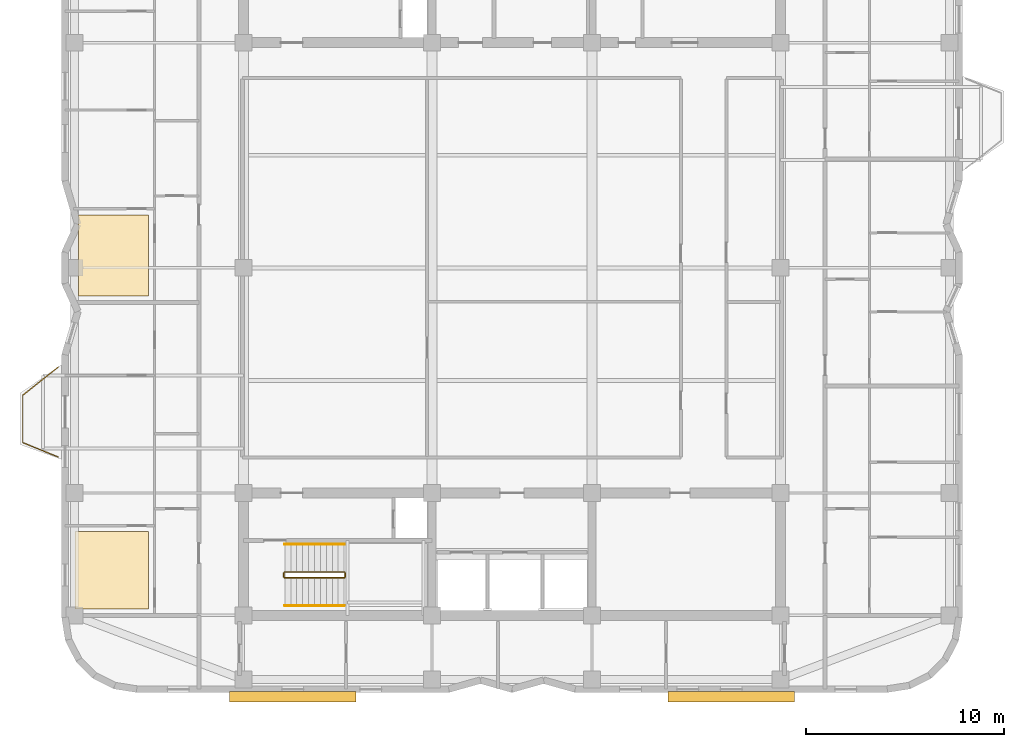
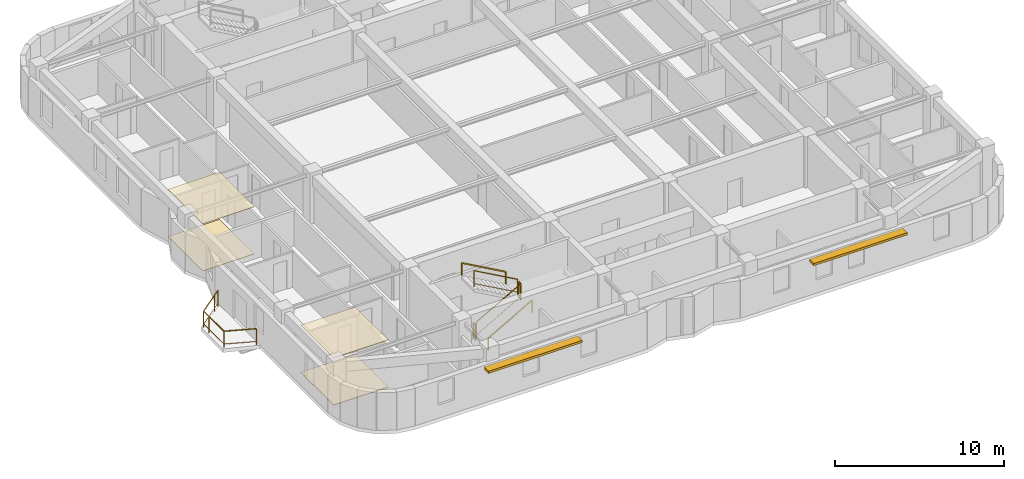
# One storey, part 8 of 9: 7 railings, 4 coverings, 2 shading devices.
"""IFC4 building model written with IfcOpenShell, lengths in metres."""

import ifcopenshell
import ifcopenshell.guid

model = None  # the IFC model being written
_history = None  # IfcOwnerHistory: only IFC2X3 demands one
_inside = {}  # id of a spatial element -> (the spatial element, [elements in it])
_under = {}  # id of a project, library or spatial element -> (it, [spatial elements below it])
_declared = {}  # id of a project -> (the project, [libraries it declares])
_typed = {}  # id of a type object -> (the type object, [elements of that type])
_made_of = {}  # id of a material, layer set ... -> (it, [elements and type objects made of it])


def new_model(schema):
    """Start an empty IFC model of exactly this schema.

    Asked for "IFC4X3", IfcOpenShell would pick the latest addendum, in which some entities
    have other attributes; the version numbers below select the first issue.
    IFC2X3 requires an IfcOwnerHistory on every rooted entity: one is made here for all.
    """
    global model, _history
    if schema == "IFC4X3":
        model = ifcopenshell.file(schema_version=(4, 3, 0, 0))
    else:
        model = ifcopenshell.file(schema=schema)
    _inside.clear()
    _under.clear()
    _declared.clear()
    _typed.clear()
    _made_of.clear()
    _history = None
    if model.schema == "IFC2X3":
        org = make("IfcOrganization", Name="unknown")
        user = make(
            "IfcPersonAndOrganization",
            ThePerson=make("IfcPerson", FamilyName="unknown"),
            TheOrganization=org,
        )
        app = make(
            "IfcApplication",
            ApplicationDeveloper=org,
            Version="unknown",
            ApplicationFullName="unknown",
            ApplicationIdentifier="unknown",
        )
        _history = make(
            "IfcOwnerHistory",
            OwningUser=user,
            OwningApplication=app,
            ChangeAction="ADDED",
            CreationDate=0,
        )
    return model


def make(cls, **values):
    """One entity of the class cls with the attributes given. An attribute that is None is left unset."""
    return model.create_entity(
        cls, **{name: value for name, value in values.items() if value is not None}
    )


def rooted(cls, **values):
    """An entity with a GlobalId (a new one), such as an element, a storey or a relation."""
    return make(cls, GlobalId=ifcopenshell.guid.new(), OwnerHistory=_history, **values)


def si_unit(unit_type, name, prefix=None):
    """IfcSIUnit, for example si_unit("LENGTHUNIT", "METRE", prefix="MILLI")."""
    return make("IfcSIUnit", UnitType=unit_type, Prefix=prefix, Name=name)


def assignment(units):
    """IfcUnitAssignment: the units of a project."""
    return None if units is None else make("IfcUnitAssignment", Units=units)


def point(xyz):
    """IfcCartesianPoint."""
    return None if xyz is None else make("IfcCartesianPoint", Coordinates=xyz)


def direction(xyz):
    """IfcDirection."""
    return None if xyz is None else make("IfcDirection", DirectionRatios=xyz)


def frame(location, z_axis=None, x_axis=None):
    """IfcAxis2Placement3D, a coordinate frame: its origin and axes. An axis left out is left unset."""
    return make(
        "IfcAxis2Placement3D",
        Location=point(location),
        Axis=direction(z_axis),
        RefDirection=direction(x_axis),
    )


def frame_2d(location, x_axis=None):
    """IfcAxis2Placement2D, a coordinate frame in the plane: its origin and x axis."""
    return make(
        "IfcAxis2Placement2D", Location=point(location), RefDirection=direction(x_axis)
    )


def origin():
    """The frame at (0, 0, 0) with its axes left unset."""
    return frame((0.0, 0.0, 0.0))


def origin_2d():
    """The frame at (0, 0) in the plane with its x axis left unset."""
    return frame_2d((0.0, 0.0))


def place(relative_to, where):
    """IfcLocalPlacement: puts the frame where relative to a parent placement (None: the world)."""
    return make(
        "IfcLocalPlacement", PlacementRelTo=relative_to, RelativePlacement=where
    )


def context(
    kind, dimensions, precision=None, world=None, true_north=None, identifier=None
):
    """IfcGeometricRepresentationContext, for example the 3D "Model" context."""
    return make(
        "IfcGeometricRepresentationContext",
        ContextIdentifier=identifier,
        ContextType=kind,
        CoordinateSpaceDimension=dimensions,
        Precision=precision,
        WorldCoordinateSystem=world,
        TrueNorth=true_north,
    )


def subcontext(parent, identifier, kind, view, scale=None):
    """IfcGeometricRepresentationSubContext, for example "Body" below "Model"."""
    return make(
        "IfcGeometricRepresentationSubContext",
        ContextIdentifier=identifier,
        ContextType=kind,
        ParentContext=parent,
        TargetScale=scale,
        TargetView=view,
    )


def project(units=None, contexts=None):
    """IfcProject with its units and contexts."""
    return rooted(
        "IfcProject",
        Name="project",
        RepresentationContexts=contexts,
        UnitsInContext=assignment(units),
    )


def spatial(cls, under=None, at=None, **own):
    """A site, building, storey or space (cls), placed at a placement, below another one or the project."""
    s = rooted(cls, ObjectPlacement=at, **own)
    if under is not None:
        _under.setdefault(under.id(), (under, []))[1].append(s)
    return s


def polyline(points):
    """IfcPolyline through the points."""
    return make("IfcPolyline", Points=[point(p) for p in points])


def profile(cls, at=None, kind="AREA", **sizes):
    """A parametric profile (cls). Its sizes go by their IFC names, for example OverallWidth=200.0."""
    return make(cls, ProfileType=kind, Position=at, **sizes)


def rectangle(**sizes):
    """IfcRectangleProfileDef."""
    return profile("IfcRectangleProfileDef", **sizes)


def outline(outer, holes=None, kind="AREA"):
    """IfcArbitraryClosedProfileDef: a profile drawn as a closed curve; with holes, ...WithVoids."""
    if holes is None:
        return make("IfcArbitraryClosedProfileDef", ProfileType=kind, OuterCurve=outer)
    return make(
        "IfcArbitraryProfileDefWithVoids",
        ProfileType=kind,
        OuterCurve=outer,
        InnerCurves=holes,
    )


def extrude(swept, where, along, depth):
    """IfcExtrudedAreaSolid: the profile swept, set in the frame where, extruded along a direction by depth."""
    return make(
        "IfcExtrudedAreaSolid",
        SweptArea=swept,
        Position=where,
        ExtrudedDirection=direction(along),
        Depth=depth,
    )


def shape(context_of_items, identifier, shape_type, items):
    """IfcShapeRepresentation: the items that make up one representation, for example the "Body"."""
    return make(
        "IfcShapeRepresentation",
        ContextOfItems=context_of_items,
        RepresentationIdentifier=identifier,
        RepresentationType=shape_type,
        Items=items,
    )


def material(Name=None, Category=None):
    """IfcMaterial."""
    return make("IfcMaterial", Name=Name, Category=Category)


def layer(
    of_material, thickness, ventilated=None, Name=None, Category=None, Priority=None
):
    """IfcMaterialLayer: one layer of a wall or slab, of a material (None: an air gap)."""
    return make(
        "IfcMaterialLayer",
        Material=of_material,
        LayerThickness=thickness,
        IsVentilated=ventilated,
        Name=Name,
        Category=Category,
        Priority=Priority,
    )


def layer_set(layers, Name=None):
    """IfcMaterialLayerSet."""
    return make("IfcMaterialLayerSet", MaterialLayers=layers, LayerSetName=Name)


def made_of(thing, what):
    """Note that an element or type object is made of a material, layer set ...; save() writes the relation."""
    if what is not None:
        _made_of.setdefault(what.id(), (what, []))[1].append(thing)
    return thing


def type_object(cls, material=None, **own):
    """A type object (cls), such as IfcWallType, which elements share."""
    return made_of(rooted(cls, **own), material)


def element(
    cls,
    number,
    at=None,
    inside=None,
    cuts=None,
    type_object=None,
    material=None,
    context=None,
    identifier="Body",
    shape_type=None,
    held_by="IfcProductDefinitionShape",
    body=None,
    shapes=None,
    **own,
):
    """One element of the class cls, such as IfcWall. Its Tag is "e" and its number.

    at: its placement. inside: the storey or other place that contains it. cuts: it is an
    opening in that element (IfcRelVoidsElement). A single representation is given by context,
    identifier, shape_type and body (its items); several are given by shapes. held_by: the class
    of the entity that holds the representations. save() writes the other relations.
    """
    e = rooted(cls, Tag="e%d" % number, ObjectPlacement=at, **own)
    if body is not None:
        shapes = [shape(context, identifier, shape_type, body)]
    if shapes is not None:
        e.Representation = make(held_by, Representations=shapes)
    if inside is not None:
        _inside.setdefault(inside.id(), (inside, []))[1].append(e)
    if cuts is not None:
        rooted(
            "IfcRelVoidsElement", RelatingBuildingElement=cuts, RelatedOpeningElement=e
        )
    if type_object is not None:
        _typed.setdefault(type_object.id(), (type_object, []))[1].append(e)
    return made_of(e, material)


def aggregate(whole, parts):
    """IfcRelAggregates: a whole, such as a stair, and the parts it consists of."""
    return rooted("IfcRelAggregates", RelatingObject=whole, RelatedObjects=parts)


def save(model, path):
    """Write the relations noted so far, then the file.

    IfcRelAggregates (storeys below a building ...), IfcRelContainedInSpatialStructure (elements
    in a storey), IfcRelDefinesByType, IfcRelAssociatesMaterial and IfcRelDeclares: one each for
    every whole, place, type object, material and project.
    """
    for whole, parts in _under.values():
        aggregate(whole, parts)
    for where, things in _inside.values():
        rooted(
            "IfcRelContainedInSpatialStructure",
            RelatedElements=things,
            RelatingStructure=where,
        )
    for kind, things in _typed.values():
        rooted("IfcRelDefinesByType", RelatedObjects=things, RelatingType=kind)
    for what, things in _made_of.values():
        rooted("IfcRelAssociatesMaterial", RelatedObjects=things, RelatingMaterial=what)
    for by, libraries in _declared.values():
        rooted("IfcRelDeclares", RelatingContext=by, RelatedDefinitions=libraries)
    model.write(path)


model = new_model("IFC4")

# Units and contexts
model_context = context("Model", 3, precision=1e-05, world=origin(), true_north=direction((0.0, 1.0)))
body_context = subcontext(model_context, "Body", "Model", "MODEL_VIEW")
ifc_project = project(units=[si_unit("LENGTHUNIT", "METRE"), si_unit("AREAUNIT", "SQUARE_METRE"), si_unit("VOLUMEUNIT", "CUBIC_METRE"), si_unit("PLANEANGLEUNIT", "RADIAN"), si_unit("MASSUNIT", "GRAM", prefix="KILO")], contexts=[model_context])

# Site, building, storey
site_placement = place(None, origin())
site = spatial("IfcSite", under=ifc_project, at=site_placement, CompositionType="ELEMENT")
building_placement = place(site_placement, origin())
building = spatial("IfcBuilding", under=site, at=building_placement, Name="Svetorya Sky Lyceum", CompositionType="ELEMENT")
storey_placement = place(building_placement, frame((0.0, 0.0, 214.699951171875)))
storey = spatial("IfcBuildingStorey", under=building, at=storey_placement, Name="L53", CompositionType="ELEMENT", Elevation=214.699951171875)

# Coverings
ifc_material_1 = material(Name="Anodized aluminium linear acoustic ceiling baffle", Category="aluminium")
ifc_layer_1 = layer(ifc_material_1, 0.0400390625)
ifc_layer_set_1 = layer_set([ifc_layer_1], Name="Anodized aluminium linear acoustic ceiling baffle")
covering_type_1 = type_object("IfcCoveringType", Name="COV-CLG-BAF40", PredefinedType="CEILING", material=ifc_layer_set_1)
covering_1_placement = place(storey_placement, frame((0.0, 0.0, 3.400146484375)))
element("IfcCovering", 1, at=covering_1_placement, inside=storey, type_object=covering_type_1, Name="Apartment W1 Living Room Acoustic Ceiling", PredefinedType="CEILING", context=body_context, shape_type="SweptSolid", body=[
    extrude(outline(polyline([(17.06494140625, 10.929931640625), (20.7900390625, 10.929931640625), (20.7900390625, 14.840087890625), (17.06494140625, 14.840087890625), (17.06494140625, 10.929931640625)])), origin(), (0.0, 0.0, 1.0), 0.039794921875),
])
covering_2_placement = place(storey_placement, frame((0.0, 0.0, 3.400146484375)))
element("IfcCovering", 2, at=covering_2_placement, inside=storey, type_object=covering_type_1, Name="Apartment W2 Living Room Acoustic Ceiling", PredefinedType="CEILING", context=body_context, shape_type="SweptSolid", body=[
    extrude(outline(polyline([(17.260009765625, 26.77001953125), (20.7900390625, 26.77001953125), (20.7900390625, 30.8798828125), (17.260009765625, 30.8798828125), (17.260009765625, 26.77001953125)])), origin(), (0.0, 0.0, 1.0), 0.039794921875),
])
ifc_material_2 = material(Name="Flamed granite slip-resistant lobby flooring", Category="masonry")
ifc_layer_2 = layer(ifc_material_2, 0.034912109375)
ifc_layer_set_2 = layer_set([ifc_layer_2], Name="Flamed granite slip-resistant lobby flooring")
covering_type_2 = type_object("IfcCoveringType", Name="COV-FLR-GRN", PredefinedType="FLOORING", material=ifc_layer_set_2)
covering_3_placement = place(storey_placement, origin())
element("IfcCovering", 3, at=covering_3_placement, inside=storey, type_object=covering_type_2, Name="Apartment W1 Living Room Architectural Flooring", PredefinedType="FLOORING", context=body_context, shape_type="SweptSolid", body=[
    extrude(outline(polyline([(17.06494140625, 10.929931640625), (20.7900390625, 10.929931640625), (20.7900390625, 14.840087890625), (17.06494140625, 14.840087890625), (17.06494140625, 10.929931640625)])), origin(), (0.0, 0.0, 1.0), 0.03515625),
])
covering_4_placement = place(storey_placement, origin())
element("IfcCovering", 4, at=covering_4_placement, inside=storey, type_object=covering_type_2, Name="Apartment W2 Living Room Architectural Flooring", PredefinedType="FLOORING", context=body_context, shape_type="SweptSolid", body=[
    extrude(outline(polyline([(17.260009765625, 26.77001953125), (20.7900390625, 26.77001953125), (20.7900390625, 30.8798828125), (17.260009765625, 30.8798828125), (17.260009765625, 26.77001953125)])), origin(), (0.0, 0.0, 1.0), 0.03515625),
])

# Railings
ifc_material_3 = material(Name="Laminated safety glass and stainless AISI 316", Category="glass")
railing_type_1 = type_object("IfcRailingType", Name="RL-BAL-1200", PredefinedType="BALUSTRADE", material=ifc_material_3)
railing_1_placement = place(storey_placement, frame((16.22998046875, 18.6201171875, 0.0)))
element("IfcRailing", 5, at=railing_1_placement, inside=storey, type_object=railing_type_1, Name="L53 Balcony Balustrade BAL-W1", PredefinedType="BALUSTRADE", context=body_context, shape_type="SweptSolid", body=[
    extrude(rectangle(XDim=0.048095703125, YDim=0.048095703125, at=origin_2d()), frame((0.0, 0.0, 1.17578125), z_axis=(-0.926697865975, 0.375807218129, 0.0), x_axis=(-0.375807218129, -0.926697865975, 0.0)), (0.0, 0.0, 1.0), 1.9423828125),
    extrude(rectangle(XDim=0.02392578125, YDim=0.02392578125, at=origin_2d()), frame((0.0, 0.0, 0.25), z_axis=(-0.926697865975, 0.375807218129, 0.0), x_axis=(-0.375807218129, -0.926697865975, 0.0)), (0.0, 0.0, 1.0), 1.9423828125),
    extrude(rectangle(XDim=0.048095703125, YDim=0.048095703125, at=origin_2d()), frame((-1.800048828125, 0.72998046875, 1.17578125), z_axis=(0.0, 1.0, 0.0), x_axis=(-1.0, 0.0, 0.0)), (0.0, 0.0, 1.0), 2.39990234375),
    extrude(rectangle(XDim=0.02392578125, YDim=0.02392578125, at=origin_2d()), frame((-1.800048828125, 0.72998046875, 0.25), z_axis=(0.0, 1.0, 0.0), x_axis=(-1.0, 0.0, 0.0)), (0.0, 0.0, 1.0), 2.39990234375),
    extrude(rectangle(XDim=0.048095703125, YDim=0.048095703125, at=origin_2d()), frame((-1.800048828125, 3.1298828125, 1.17578125), z_axis=(0.783008919264, 0.622010476079, 0.0), x_axis=(-0.622010476079, 0.783008919264, 0.0)), (0.0, 0.0, 1.0), 2.298828125),
    extrude(rectangle(XDim=0.02392578125, YDim=0.02392578125, at=origin_2d()), frame((-1.800048828125, 3.1298828125, 0.25), z_axis=(0.783008919264, 0.622010476079, 0.0), x_axis=(-0.622010476079, 0.783008919264, 0.0)), (0.0, 0.0, 1.0), 2.298828125),
    extrude(rectangle(XDim=0.0419921875, YDim=0.0419921875, at=origin_2d()), origin(), (0.0, 0.0, 1.0), 1.15185546875),
    extrude(rectangle(XDim=0.0419921875, YDim=0.0419921875, at=origin_2d()), frame((-1.800048828125, 0.72998046875, 0.0)), (0.0, 0.0, 1.0), 1.15185546875),
    extrude(rectangle(XDim=0.0419921875, YDim=0.0419921875, at=origin_2d()), frame((-1.800048828125, 2.47998046875, 0.0)), (0.0, 0.0, 1.0), 1.15185546875),
    extrude(rectangle(XDim=0.0419921875, YDim=0.0419921875, at=origin_2d()), frame((-1.800048828125, 3.1298828125, 0.0)), (0.0, 0.0, 1.0), 1.15185546875),
    extrude(rectangle(XDim=0.0419921875, YDim=0.0419921875, at=origin_2d()), frame((-0.4296875, 4.218505859375, 0.0)), (0.0, 0.0, 1.0), 1.15185546875),
    extrude(rectangle(XDim=0.0419921875, YDim=0.0419921875, at=origin_2d()), frame((0.0, 4.559814453125, 0.0)), (0.0, 0.0, 1.0), 1.15185546875),
])
ifc_material_4 = material(Name="Painted galvanized stair well guard")
railing_type_2 = type_object("IfcRailingType", Name="RL-STR-GUARD-1200", PredefinedType="GUARDRAIL", material=ifc_material_4)
railing_2_placement = place(storey_placement, frame((27.699951171875, 12.5, 0.168212890625)))
element("IfcRailing", 6, at=railing_2_placement, inside=storey, type_object=railing_type_2, Name="L53 ST-S stair guard 1", PredefinedType="GUARDRAIL", context=body_context, shape_type="SweptSolid", body=[
    extrude(rectangle(XDim=0.048095703125, YDim=0.048095703125, at=origin_2d()), frame((0.0, 0.0, 1.17578125), z_axis=(0.872272294576, 0.0, 0.489020494575), x_axis=(0.0, 1.0, 0.0)), (0.0, 0.0, 1.0), 3.439208984375),
    extrude(rectangle(XDim=0.02392578125, YDim=0.02392578125, at=origin_2d()), frame((0.0, 0.0, 0.25), z_axis=(0.872272294576, 0.0, 0.489020494575), x_axis=(0.0, 1.0, 0.0)), (0.0, 0.0, 1.0), 3.439208984375),
    extrude(rectangle(XDim=0.0419921875, YDim=0.0419921875, at=origin_2d()), origin(), (0.0, 0.0, 1.0), 1.15185546875),
    extrude(rectangle(XDim=0.0419921875, YDim=0.0419921875, at=origin_2d()), frame((3.0, 0.0, 1.681884765625)), (0.0, 0.0, 1.0), 1.15185546875),
])
railing_3_placement = place(storey_placement, frame((30.75, 12.550048828125, 1.85009765625)))
element("IfcRailing", 7, at=railing_3_placement, inside=storey, type_object=railing_type_2, Name="L53 ST-S stair guard 2", PredefinedType="GUARDRAIL", context=body_context, shape_type="SweptSolid", body=[
    extrude(rectangle(XDim=0.048095703125, YDim=0.048095703125, at=origin_2d()), frame((0.0, 0.0, 1.17578125), z_axis=(0.0, 1.0, 0.0), x_axis=(-1.0, 0.0, 0.0)), (0.0, 0.0, 1.0), 0.199951171875),
    extrude(rectangle(XDim=0.02392578125, YDim=0.02392578125, at=origin_2d()), frame((0.0, 0.0, 0.25), z_axis=(0.0, 1.0, 0.0), x_axis=(-1.0, 0.0, 0.0)), (0.0, 0.0, 1.0), 0.199951171875),
    extrude(rectangle(XDim=0.0419921875, YDim=0.0419921875, at=origin_2d()), origin(), (0.0, 0.0, 1.0), 1.15185546875),
    extrude(rectangle(XDim=0.0419921875, YDim=0.0419921875, at=origin_2d()), frame((0.0, 0.199951171875, 0.0)), (0.0, 0.0, 1.0), 1.15185546875),
])
railing_4_placement = place(storey_placement, frame((30.699951171875, 12.800048828125, 2.018310546875)))
element("IfcRailing", 8, at=railing_4_placement, inside=storey, type_object=railing_type_2, Name="L53 ST-S stair guard 3", PredefinedType="GUARDRAIL", context=body_context, shape_type="SweptSolid", body=[
    extrude(rectangle(XDim=0.048095703125, YDim=0.048095703125, at=origin_2d()), frame((0.0, 0.0, 1.17578125), z_axis=(-0.872302573547, 0.0, 0.488966481656), x_axis=(0.0, -1.0, 0.0)), (0.0, 0.0, 1.0), 3.439208984375),
    extrude(rectangle(XDim=0.02392578125, YDim=0.02392578125, at=origin_2d()), frame((0.0, 0.0, 0.25), z_axis=(-0.872302573547, 0.0, 0.488966481656), x_axis=(0.0, -1.0, 0.0)), (0.0, 0.0, 1.0), 3.439208984375),
    extrude(rectangle(XDim=0.0419921875, YDim=0.0419921875, at=origin_2d()), origin(), (0.0, 0.0, 1.0), 1.15185546875),
    extrude(rectangle(XDim=0.0419921875, YDim=0.0419921875, at=origin_2d()), frame((-3.0, 0.0, 1.681640625)), (0.0, 0.0, 1.0), 1.15185546875),
])
railing_5_placement = place(storey_placement, frame((27.64990234375, 12.550048828125, 0.0)))
element("IfcRailing", 9, at=railing_5_placement, inside=storey, type_object=railing_type_2, Name="L53 ST-S stair guard 4", PredefinedType="GUARDRAIL", context=body_context, shape_type="SweptSolid", body=[
    extrude(rectangle(XDim=0.048095703125, YDim=0.048095703125, at=origin_2d()), frame((0.0, 0.0, 1.17578125), z_axis=(0.0, 1.0, 0.0), x_axis=(-1.0, 0.0, 0.0)), (0.0, 0.0, 1.0), 0.199951171875),
    extrude(rectangle(XDim=0.02392578125, YDim=0.02392578125, at=origin_2d()), frame((0.0, 0.0, 0.25), z_axis=(0.0, 1.0, 0.0), x_axis=(-1.0, 0.0, 0.0)), (0.0, 0.0, 1.0), 0.199951171875),
    extrude(rectangle(XDim=0.0419921875, YDim=0.0419921875, at=origin_2d()), origin(), (0.0, 0.0, 1.0), 1.15185546875),
    extrude(rectangle(XDim=0.0419921875, YDim=0.0419921875, at=origin_2d()), frame((0.0, 0.199951171875, 0.0)), (0.0, 0.0, 1.0), 1.15185546875),
])
ifc_material_5 = material(Name="Brushed stainless AISI 304 stair handrail")
railing_type_3 = type_object("IfcRailingType", Name="RL-STR-HAND-920", PredefinedType="HANDRAIL", material=ifc_material_5)
railing_6_placement = place(storey_placement, frame((27.699951171875, 11.10009765625, 0.168212890625)))
element("IfcRailing", 10, at=railing_6_placement, inside=storey, type_object=railing_type_3, Name="L53 ST-S stair handrail 1", PredefinedType="HANDRAIL", context=body_context, shape_type="SweptSolid", body=[
    extrude(rectangle(XDim=0.048095703125, YDim=0.048095703125, at=origin_2d()), frame((0.0, 0.0, 0.8759765625), z_axis=(0.872272294576, 0.0, 0.489020494575), x_axis=(0.0, 1.0, 0.0)), (0.0, 0.0, 1.0), 3.439208984375),
    extrude(rectangle(XDim=0.0419921875, YDim=0.0419921875, at=origin_2d()), origin(), (0.0, 0.0, 1.0), 0.851806640625),
    extrude(rectangle(XDim=0.0419921875, YDim=0.0419921875, at=origin_2d()), frame((3.0, 0.0, 1.681884765625)), (0.0, 0.0, 1.0), 0.851806640625),
])
railing_7_placement = place(storey_placement, frame((30.699951171875, 14.199951171875, 2.018310546875)))
element("IfcRailing", 11, at=railing_7_placement, inside=storey, type_object=railing_type_3, Name="L53 ST-S stair handrail 2", PredefinedType="HANDRAIL", context=body_context, shape_type="SweptSolid", body=[
    extrude(rectangle(XDim=0.048095703125, YDim=0.048095703125, at=origin_2d()), frame((0.0, 0.0, 0.8759765625), z_axis=(-0.872302573547, 0.0, 0.488966481656), x_axis=(0.0, -1.0, 0.0)), (0.0, 0.0, 1.0), 3.439208984375),
    extrude(rectangle(XDim=0.0419921875, YDim=0.0419921875, at=origin_2d()), origin(), (0.0, 0.0, 1.0), 0.851806640625),
    extrude(rectangle(XDim=0.0419921875, YDim=0.0419921875, at=origin_2d()), frame((-3.0, 0.0, 1.681640625)), (0.0, 0.0, 1.0), 0.851806640625),
])

# Shading devices
ifc_material_6 = material(Name="Champagne-anodized extruded aluminium sunshade", Category="aluminium")
ifc_layer_3 = layer(ifc_material_6, 0.159912109375)
ifc_layer_set_3 = layer_set([ifc_layer_3], Name="Champagne-anodized extruded aluminium sunshade")
shading_device_type = type_object("IfcShadingDeviceType", Name="SHD-LVR-540", PredefinedType="AWNING", material=ifc_layer_set_3)
for number, where, z_axis, x_axis, name in (
    (12, (28.10009765625, 6.47998046875, 2.419921875), (0.0, 0.0, 1.0), (1.0, 0.0, 0.0), "L53 Solar Brise-Soleil SHD-1.6M"),
    (13, (50.300048828125, 6.47998046875, 2.419921875), (0.0, 0.0, 1.0), (1.0, 0.0, 0.0), "L53 Solar Brise-Soleil SHD-1.11M"),
):
    element("IfcShadingDevice", number, at=place(storey_placement, frame(where, z_axis=z_axis, x_axis=x_axis)), inside=storey, type_object=shading_device_type, Name=name, PredefinedType="AWNING", context=body_context, shape_type="SweptSolid", body=[
        extrude(rectangle(XDim=6.39990234375, YDim=0.5400390625, at=origin_2d()), origin(), (0.0, 0.0, 1.0), 0.159912109375),
    ])

save(model, "model.ifc")
